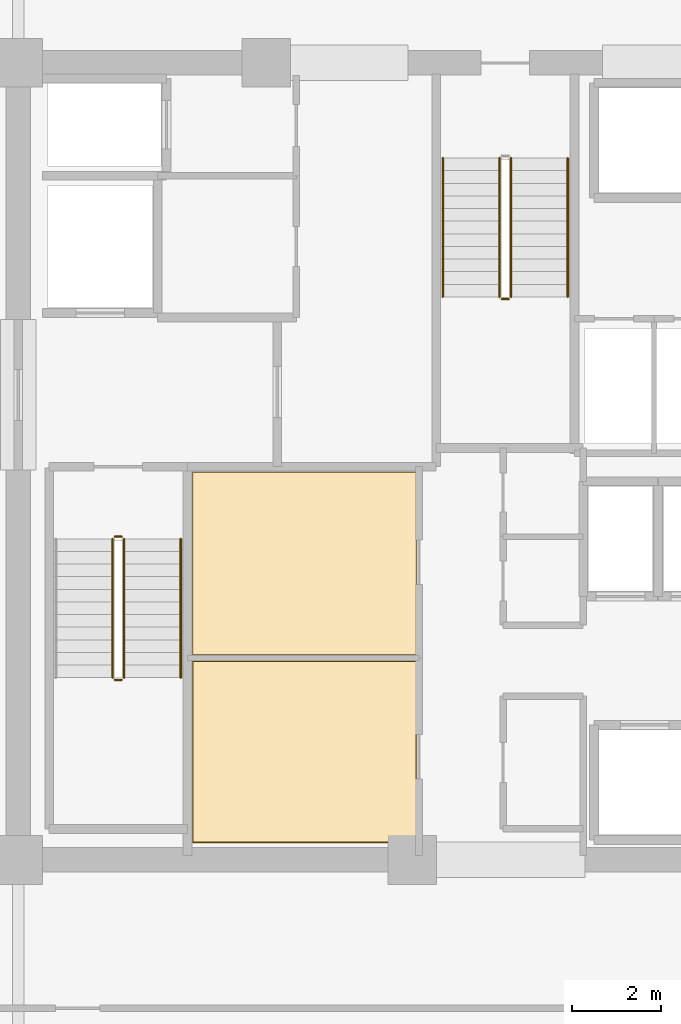
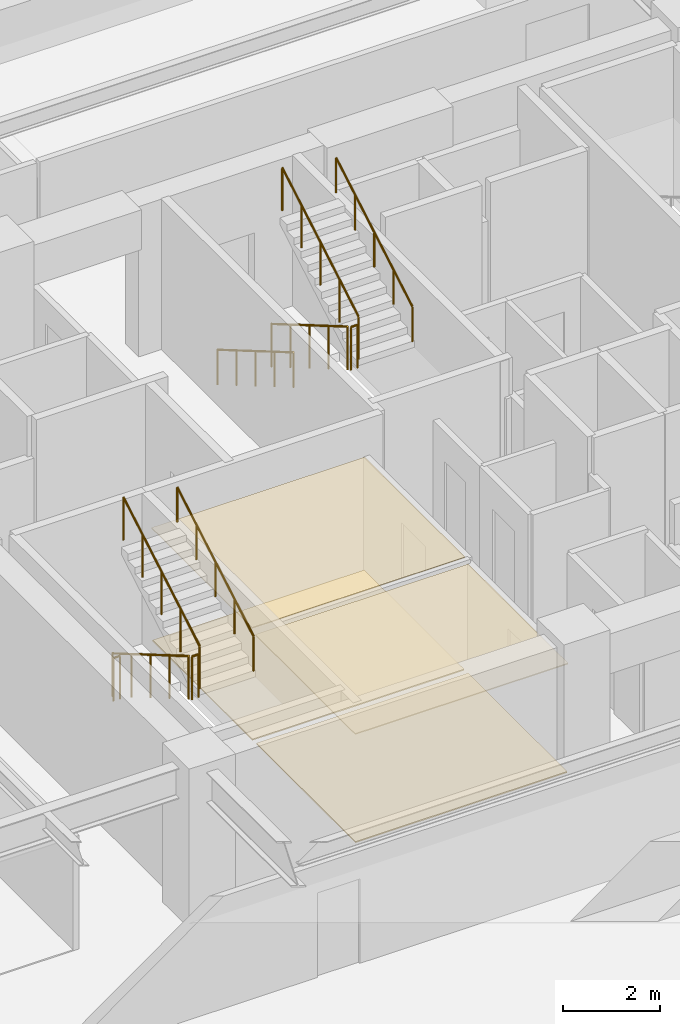
# One storey, part 21 of 24: 10 railings, 4 coverings.
"""IFC4 building model written with IfcOpenShell, lengths in metres."""

from ifc_helpers import new_model, si_unit, direction, frame, origin, origin_2d, place, context, subcontext, project, spatial, polyline, circle, outline, extrude, material, layer, layer_set, type_object, element, save


model = new_model("IFC4")

# Units and contexts
model_context = context("Model", 3, precision=1e-05, world=origin(), true_north=direction((0.0, 1.0)))
body_context = subcontext(model_context, "Body", "Model", "MODEL_VIEW")
ifc_project = project(units=[si_unit("LENGTHUNIT", "METRE"), si_unit("AREAUNIT", "SQUARE_METRE"), si_unit("VOLUMEUNIT", "CUBIC_METRE"), si_unit("PLANEANGLEUNIT", "RADIAN"), si_unit("MASSUNIT", "GRAM", prefix="KILO")], contexts=[model_context])

# Site, building, storey
site_placement = place(None, origin())
site = spatial("IfcSite", under=ifc_project, at=site_placement, CompositionType="ELEMENT")
building_placement = place(site_placement, origin())
building = spatial("IfcBuilding", under=site, at=building_placement, Name="Kovane Verandah Tower", CompositionType="ELEMENT")
storey_placement = place(building_placement, frame((0.0, 0.0, 132.39990234375)))
storey = spatial("IfcBuildingStorey", under=building, at=storey_placement, Name="L30", CompositionType="ELEMENT", Elevation=132.39990234375)

# Coverings
ifc_material_1 = material(Name="Perforated Acoustic Mineral-Fibre Ceiling Tile", Category="gypsum")
ifc_layer_1 = layer(ifc_material_1, 0.02490234375)
ifc_layer_set_1 = layer_set([ifc_layer_1], Name="Perforated Acoustic Mineral-Fibre Ceiling Tile")
covering_type_1 = type_object("IfcCoveringType", Name="CV-CEIL-25", PredefinedType="CEILING", material=ifc_layer_set_1)
covering_1_placement = place(storey_placement, frame((0.0, 0.0, 2.72998046875)))
element("IfcCovering", 1, at=covering_1_placement, inside=storey, type_object=covering_type_1, Name="L30 IT Server Room Acoustic Ceiling", PredefinedType="CEILING", context=body_context, shape_type="SweptSolid", body=[
    extrude(outline(polyline([(32.93505859375, 18.885009765625), (37.9951171875, 18.885009765625), (37.9951171875, 22.9951171875), (32.93505859375, 22.9951171875), (32.93505859375, 18.885009765625)])), origin(), (0.0, 0.0, 1.0), 0.025146484375),
])
covering_2_placement = place(storey_placement, frame((0.0, 0.0, 2.8251953125)))
element("IfcCovering", 2, at=covering_2_placement, inside=storey, type_object=covering_type_1, Name="L30 Telecom MDF Room Acoustic Ceiling", PredefinedType="CEILING", context=body_context, shape_type="SweptSolid", body=[
    extrude(outline(polyline([(32.93505859375, 23.125), (37.9951171875, 23.125), (37.9951171875, 27.264892578125), (32.93505859375, 27.264892578125), (32.93505859375, 23.125)])), origin(), (0.0, 0.0, 1.0), 0.02490234375),
])
ifc_material_2 = material(Name="Polished Terrazzo and Raised-Access Carpet Tile Finish", Category="concrete")
ifc_layer_2 = layer(ifc_material_2, 0.030029296875)
ifc_layer_set_2 = layer_set([ifc_layer_2], Name="Polished Terrazzo and Raised-Access Carpet Tile Finish")
covering_type_2 = type_object("IfcCoveringType", Name="CV-FLOR-30", PredefinedType="FLOORING", material=ifc_layer_set_2)
covering_3_placement = place(storey_placement, origin())
element("IfcCovering", 3, at=covering_3_placement, inside=storey, type_object=covering_type_2, Name="L30 IT Server Room Floor Finish", PredefinedType="FLOORING", context=body_context, shape_type="SweptSolid", body=[
    extrude(outline(polyline([(32.949951171875, 18.89990234375), (37.97998046875, 18.89990234375), (37.97998046875, 22.97998046875), (32.949951171875, 22.97998046875), (32.949951171875, 18.89990234375)])), origin(), (0.0, 0.0, 1.0), 0.030029296875),
])
covering_4_placement = place(storey_placement, origin())
element("IfcCovering", 4, at=covering_4_placement, inside=storey, type_object=covering_type_2, Name="L30 Telecom MDF Room Floor Finish", PredefinedType="FLOORING", context=body_context, shape_type="SweptSolid", body=[
    extrude(outline(polyline([(32.949951171875, 23.139892578125), (37.97998046875, 23.139892578125), (37.97998046875, 27.25), (32.949951171875, 27.25), (32.949951171875, 23.139892578125)])), origin(), (0.0, 0.0, 1.0), 0.030029296875),
])

# Railings
ifc_material_3 = material(Name="Brushed Stainless Steel Handrail", Category="steel")
railing_type_1 = type_object("IfcRailingType", Name="RL-HAND-920", PredefinedType="HANDRAIL", material=ifc_material_3)
railing_1_placement = place(storey_placement, frame((32.669921875, 22.614990234375, 2.166748046875)))
element("IfcRailing", 5, at=railing_1_placement, inside=storey, type_object=railing_type_1, Name="L30 ST-01 stair handrail 2", PredefinedType="HANDRAIL", context=body_context, shape_type="SweptSolid", body=[
    extrude(circle(Radius=0.02392578125, at=origin_2d()), frame((0.0, 0.0, 0.8759765625), z_axis=(0.0, 0.863239559939, 0.504794475164), x_axis=(-1.0, 0.0, 0.0)), (0.0, 0.0, 1.0), 3.631591796875),
    extrude(circle(Radius=0.02099609375, at=origin_2d()), origin(), (0.0, 0.0, 1.0), 0.851806640625),
    extrude(circle(Radius=0.02099609375, at=origin_2d()), frame((0.0, 0.78369140625, 0.458251953125)), (0.0, 0.0, 1.0), 0.851806640625),
    extrude(circle(Radius=0.02099609375, at=origin_2d()), frame((0.0, 1.5673828125, 0.91650390625)), (0.0, 0.0, 1.0), 0.851806640625),
    extrude(circle(Radius=0.02099609375, at=origin_2d()), frame((0.0, 2.351318359375, 1.375)), (0.0, 0.0, 1.0), 0.851806640625),
    extrude(circle(Radius=0.02099609375, at=origin_2d()), frame((0.0, 3.135009765625, 1.833251953125)), (0.0, 0.0, 1.0), 0.851806640625),
])
railing_2_placement = place(storey_placement, frame((38.590087890625, 34.35009765625, 0.166748046875)))
element("IfcRailing", 6, at=railing_2_placement, inside=storey, type_object=railing_type_1, Name="L30 ST-03 stair handrail 1", PredefinedType="HANDRAIL", context=body_context, shape_type="SweptSolid", body=[
    extrude(circle(Radius=0.02392578125, at=origin_2d()), frame((0.0, 0.0, 0.8759765625), z_axis=(0.0, -0.863239559939, 0.504794475164), x_axis=(1.0, 0.0, 0.0)), (0.0, 0.0, 1.0), 3.631591796875),
    extrude(circle(Radius=0.02099609375, at=origin_2d()), origin(), (0.0, 0.0, 1.0), 0.851806640625),
    extrude(circle(Radius=0.02099609375, at=origin_2d()), frame((0.0, -0.78369140625, 0.458251953125)), (0.0, 0.0, 1.0), 0.851806640625),
    extrude(circle(Radius=0.02099609375, at=origin_2d()), frame((0.0, -1.5673828125, 0.91650390625)), (0.0, 0.0, 1.0), 0.851806640625),
    extrude(circle(Radius=0.02099609375, at=origin_2d()), frame((0.0, -2.351318359375, 1.375)), (0.0, 0.0, 1.0), 0.851806640625),
    extrude(circle(Radius=0.02099609375, at=origin_2d()), frame((0.0, -3.135009765625, 1.833251953125)), (0.0, 0.0, 1.0), 0.851806640625),
])
railing_3_placement = place(storey_placement, frame((41.409912109375, 31.215087890625, 2.166748046875)))
element("IfcRailing", 7, at=railing_3_placement, inside=storey, type_object=railing_type_1, Name="L30 ST-03 stair handrail 2", PredefinedType="HANDRAIL", context=body_context, shape_type="SweptSolid", body=[
    extrude(circle(Radius=0.02392578125, at=origin_2d()), frame((0.0, 0.0, 0.8759765625), z_axis=(0.0, 0.863239559939, 0.504794475164), x_axis=(-1.0, 0.0, 0.0)), (0.0, 0.0, 1.0), 3.631591796875),
    extrude(circle(Radius=0.02099609375, at=origin_2d()), origin(), (0.0, 0.0, 1.0), 0.851806640625),
    extrude(circle(Radius=0.02099609375, at=origin_2d()), frame((0.0, 0.78369140625, 0.458251953125)), (0.0, 0.0, 1.0), 0.851806640625),
    extrude(circle(Radius=0.02099609375, at=origin_2d()), frame((0.0, 1.5673828125, 0.91650390625)), (0.0, 0.0, 1.0), 0.851806640625),
    extrude(circle(Radius=0.02099609375, at=origin_2d()), frame((0.0, 2.351318359375, 1.375)), (0.0, 0.0, 1.0), 0.851806640625),
    extrude(circle(Radius=0.02099609375, at=origin_2d()), frame((0.0, 3.135009765625, 1.833251953125)), (0.0, 0.0, 1.0), 0.851806640625),
])
ifc_material_4 = material(Name="Painted Steel Stairwell Guardrail", Category="steel")
railing_type_2 = type_object("IfcRailingType", Name="RL-STGUARD-1120", PredefinedType="GUARDRAIL", material=ifc_material_4)
railing_4_placement = place(storey_placement, frame((31.1298828125, 25.75, 0.166748046875)))
element("IfcRailing", 8, at=railing_4_placement, inside=storey, type_object=railing_type_2, Name="L30 ST-01 stair guard 1", PredefinedType="GUARDRAIL", context=body_context, shape_type="SweptSolid", body=[
    extrude(circle(Radius=0.02392578125, at=origin_2d()), frame((0.0, 0.0, 1.076171875), z_axis=(0.0, -0.863239559939, 0.504794475164), x_axis=(1.0, 0.0, 0.0)), (0.0, 0.0, 1.0), 3.631591796875),
    extrude(circle(Radius=0.02099609375, at=origin_2d()), origin(), (0.0, 0.0, 1.0), 1.052001953125),
    extrude(circle(Radius=0.02099609375, at=origin_2d()), frame((0.0, -0.78369140625, 0.458251953125)), (0.0, 0.0, 1.0), 1.052001953125),
    extrude(circle(Radius=0.02099609375, at=origin_2d()), frame((0.0, -1.5673828125, 0.91650390625)), (0.0, 0.0, 1.0), 1.052001953125),
    extrude(circle(Radius=0.02099609375, at=origin_2d()), frame((0.0, -2.351318359375, 1.375)), (0.0, 0.0, 1.0), 1.052001953125),
    extrude(circle(Radius=0.02099609375, at=origin_2d()), frame((0.0, -3.135009765625, 1.833251953125)), (0.0, 0.0, 1.0), 1.052001953125),
])
railing_5_placement = place(storey_placement, frame((31.179931640625, 22.56494140625, 2.0)))
element("IfcRailing", 9, at=railing_5_placement, inside=storey, type_object=railing_type_2, Name="L30 ST-01 stair guard 2", PredefinedType="GUARDRAIL", context=body_context, shape_type="SweptSolid", body=[
    extrude(circle(Radius=0.02392578125, at=origin_2d()), frame((0.0, 0.0, 1.076171875), z_axis=(1.0, 0.0, 0.0), x_axis=(0.0, 1.0, 0.0)), (0.0, 0.0, 1.0), 0.16015625),
    extrude(circle(Radius=0.02099609375, at=origin_2d()), origin(), (0.0, 0.0, 1.0), 1.052001953125),
    extrude(circle(Radius=0.02099609375, at=origin_2d()), frame((0.16015625, 0.0, 0.0)), (0.0, 0.0, 1.0), 1.052001953125),
])
railing_6_placement = place(storey_placement, frame((31.389892578125, 22.614990234375, 2.166748046875)))
element("IfcRailing", 10, at=railing_6_placement, inside=storey, type_object=railing_type_2, Name="L30 ST-01 stair guard 3", PredefinedType="GUARDRAIL", context=body_context, shape_type="SweptSolid", body=[
    extrude(circle(Radius=0.02392578125, at=origin_2d()), frame((0.0, 0.0, 1.076171875), z_axis=(0.0, 0.863239559939, 0.504794475164), x_axis=(-1.0, 0.0, 0.0)), (0.0, 0.0, 1.0), 3.631591796875),
    extrude(circle(Radius=0.02099609375, at=origin_2d()), origin(), (0.0, 0.0, 1.0), 1.052001953125),
    extrude(circle(Radius=0.02099609375, at=origin_2d()), frame((0.0, 0.78369140625, 0.458251953125)), (0.0, 0.0, 1.0), 1.052001953125),
    extrude(circle(Radius=0.02099609375, at=origin_2d()), frame((0.0, 1.5673828125, 0.91650390625)), (0.0, 0.0, 1.0), 1.052001953125),
    extrude(circle(Radius=0.02099609375, at=origin_2d()), frame((0.0, 2.351318359375, 1.375)), (0.0, 0.0, 1.0), 1.052001953125),
    extrude(circle(Radius=0.02099609375, at=origin_2d()), frame((0.0, 3.135009765625, 1.833251953125)), (0.0, 0.0, 1.0), 1.052001953125),
])
railing_7_placement = place(storey_placement, frame((31.179931640625, 25.800048828125, 0.0)))
element("IfcRailing", 11, at=railing_7_placement, inside=storey, type_object=railing_type_2, Name="L30 ST-01 stair guard 4", PredefinedType="GUARDRAIL", context=body_context, shape_type="SweptSolid", body=[
    extrude(circle(Radius=0.02392578125, at=origin_2d()), frame((0.0, 0.0, 1.076171875), z_axis=(1.0, 0.0, 0.0), x_axis=(0.0, 1.0, 0.0)), (0.0, 0.0, 1.0), 0.16015625),
    extrude(circle(Radius=0.02099609375, at=origin_2d()), origin(), (0.0, 0.0, 1.0), 1.052001953125),
    extrude(circle(Radius=0.02099609375, at=origin_2d()), frame((0.16015625, 0.0, 0.0)), (0.0, 0.0, 1.0), 1.052001953125),
])
railing_8_placement = place(storey_placement, frame((39.8701171875, 34.35009765625, 0.166748046875)))
element("IfcRailing", 12, at=railing_8_placement, inside=storey, type_object=railing_type_2, Name="L30 ST-03 stair guard 1", PredefinedType="GUARDRAIL", context=body_context, shape_type="SweptSolid", body=[
    extrude(circle(Radius=0.02392578125, at=origin_2d()), frame((0.0, 0.0, 1.076171875), z_axis=(0.0, -0.863239559939, 0.504794475164), x_axis=(1.0, 0.0, 0.0)), (0.0, 0.0, 1.0), 3.631591796875),
    extrude(circle(Radius=0.02099609375, at=origin_2d()), origin(), (0.0, 0.0, 1.0), 1.052001953125),
    extrude(circle(Radius=0.02099609375, at=origin_2d()), frame((0.0, -0.78369140625, 0.458251953125)), (0.0, 0.0, 1.0), 1.052001953125),
    extrude(circle(Radius=0.02099609375, at=origin_2d()), frame((0.0, -1.5673828125, 0.91650390625)), (0.0, 0.0, 1.0), 1.052001953125),
    extrude(circle(Radius=0.02099609375, at=origin_2d()), frame((0.0, -2.351318359375, 1.375)), (0.0, 0.0, 1.0), 1.052001953125),
    extrude(circle(Radius=0.02099609375, at=origin_2d()), frame((0.0, -3.135009765625, 1.833251953125)), (0.0, 0.0, 1.0), 1.052001953125),
])
railing_9_placement = place(storey_placement, frame((39.919921875, 31.1650390625, 2.0)))
element("IfcRailing", 13, at=railing_9_placement, inside=storey, type_object=railing_type_2, Name="L30 ST-03 stair guard 2", PredefinedType="GUARDRAIL", context=body_context, shape_type="SweptSolid", body=[
    extrude(circle(Radius=0.02392578125, at=origin_2d()), frame((0.0, 0.0, 1.076171875), z_axis=(1.0, 0.0, 0.0), x_axis=(0.0, 1.0, 0.0)), (0.0, 0.0, 1.0), 0.16015625),
    extrude(circle(Radius=0.02099609375, at=origin_2d()), origin(), (0.0, 0.0, 1.0), 1.052001953125),
    extrude(circle(Radius=0.02099609375, at=origin_2d()), frame((0.16015625, 0.0, 0.0)), (0.0, 0.0, 1.0), 1.052001953125),
])
railing_10_placement = place(storey_placement, frame((40.1298828125, 31.215087890625, 2.166748046875)))
element("IfcRailing", 14, at=railing_10_placement, inside=storey, type_object=railing_type_2, Name="L30 ST-03 stair guard 3", PredefinedType="GUARDRAIL", context=body_context, shape_type="SweptSolid", body=[
    extrude(circle(Radius=0.02392578125, at=origin_2d()), frame((0.0, 0.0, 1.076171875), z_axis=(0.0, 0.863239559939, 0.504794475164), x_axis=(-1.0, 0.0, 0.0)), (0.0, 0.0, 1.0), 3.631591796875),
    extrude(circle(Radius=0.02099609375, at=origin_2d()), origin(), (0.0, 0.0, 1.0), 1.052001953125),
    extrude(circle(Radius=0.02099609375, at=origin_2d()), frame((0.0, 0.78369140625, 0.458251953125)), (0.0, 0.0, 1.0), 1.052001953125),
    extrude(circle(Radius=0.02099609375, at=origin_2d()), frame((0.0, 1.5673828125, 0.91650390625)), (0.0, 0.0, 1.0), 1.052001953125),
    extrude(circle(Radius=0.02099609375, at=origin_2d()), frame((0.0, 2.351318359375, 1.375)), (0.0, 0.0, 1.0), 1.052001953125),
    extrude(circle(Radius=0.02099609375, at=origin_2d()), frame((0.0, 3.135009765625, 1.833251953125)), (0.0, 0.0, 1.0), 1.052001953125),
])

save(model, "model.ifc")
